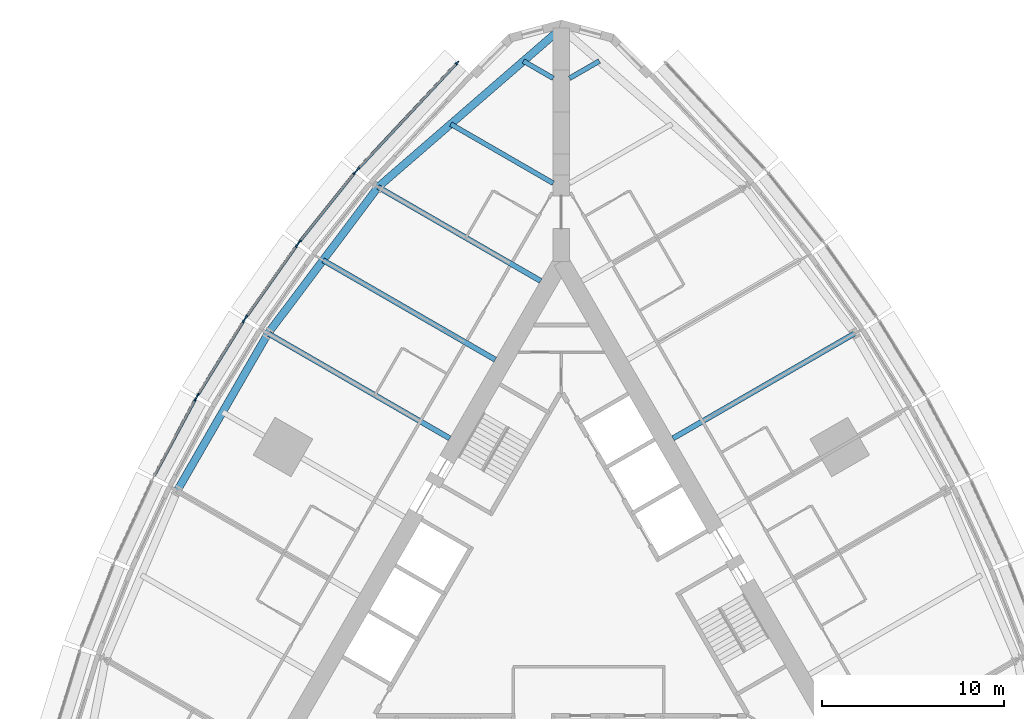
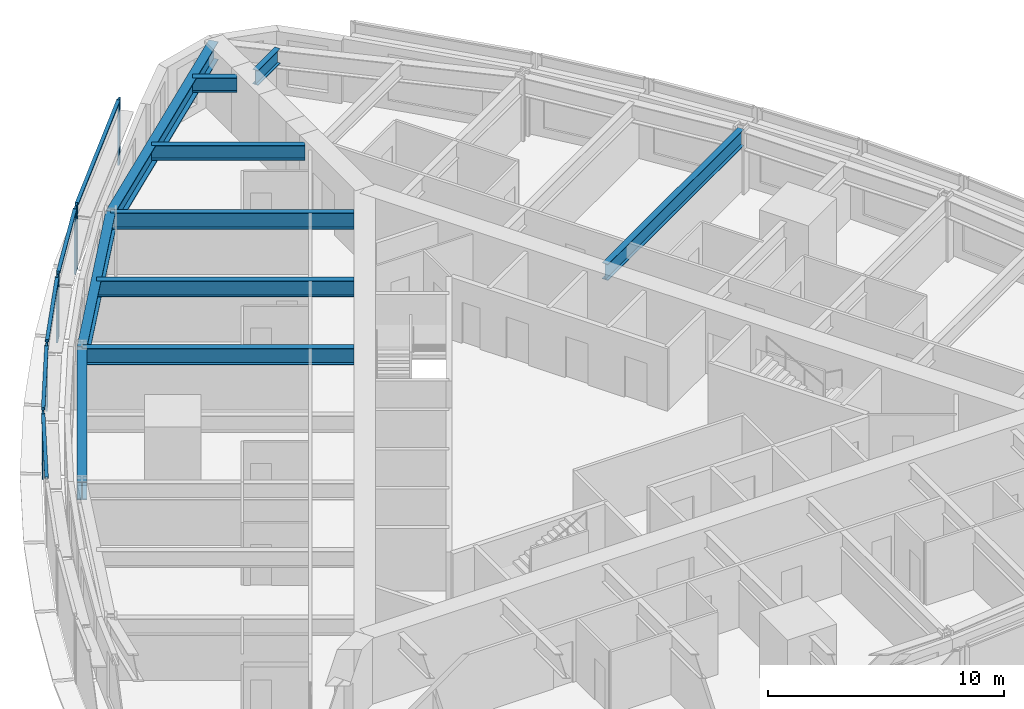
# One storey, part 4 of 14: 14 members, 10 beams, 5 elements without a shape of their own.
"""IFC4 building model written with IfcOpenShell, lengths in metres."""

from ifc_helpers import new_model, si_unit, direction, frame, origin, origin_2d, place, context, subcontext, project, spatial, rectangle, i_section, extrude, material, material_profile, profile_set, type_object, element, aggregate, save


model = new_model("IFC4")

# Units and contexts
model_context = context("Model", 3, precision=1e-05, world=origin(), true_north=direction((0.0, 1.0)))
body_context = subcontext(model_context, "Body", "Model", "MODEL_VIEW")
ifc_project = project(units=[si_unit("LENGTHUNIT", "METRE"), si_unit("AREAUNIT", "SQUARE_METRE"), si_unit("VOLUMEUNIT", "CUBIC_METRE"), si_unit("PLANEANGLEUNIT", "RADIAN"), si_unit("MASSUNIT", "GRAM", prefix="KILO")], contexts=[model_context])

# Site, building, storey
site_placement = place(None, origin())
site = spatial("IfcSite", under=ifc_project, at=site_placement, CompositionType="ELEMENT")
building_placement = place(site_placement, origin())
building = spatial("IfcBuilding", under=site, at=building_placement, Name="Trikona Tower", CompositionType="ELEMENT")
storey_placement = place(building_placement, frame((0.0, 0.0, 89.699951171875)))
storey = spatial("IfcBuildingStorey", under=building, at=storey_placement, Name="L23", CompositionType="ELEMENT", Elevation=89.699951171875)

# Curtain wall, members
ifc_material_1 = material(Name="Aluminium curtain wall system", Category="aluminium")
curtain_wall_type = type_object("IfcCurtainWallType", Name="Curtain wall DS1", PredefinedType="NOTDEFINED", material=ifc_material_1)
curtain_wall_1_placement = place(storey_placement, origin())
curtain_wall_1 = element("IfcCurtainWall", 1, at=curtain_wall_1_placement, inside=storey, type_object=curtain_wall_type, Name="Curtain wall DS1 L23", PredefinedType="NOTDEFINED")
ifc_material_2 = material(Name="Aluminium mullion, pale anodised", Category="aluminium")
ifc_material_profile_1 = material_profile(ifc_material_2, rectangle(XDim=0.080078125, YDim=0.219970703125, at=origin_2d()), Name="MUL-DS1")
ifc_profile_set_1 = profile_set([ifc_material_profile_1], Name="Aluminium mullion, pale anodised")
member_type_1 = type_object("IfcMemberType", Name="Mullion DS1 80x220", PredefinedType="MULLION", material=ifc_profile_set_1)
member_1_placement = place(storey_placement, frame((-5.72607421875, 29.98583984375, 0.0), z_axis=(0.0, 0.0, 1.0), x_axis=(0.731076639405, -0.682295351967, 0.0)))
member_1 = element("IfcMember", 2, at=member_1_placement, type_object=member_type_1, Name="CW-DS1 mullion 1", PredefinedType="MULLION", context=body_context, shape_type="SweptSolid", body=[
    extrude(rectangle(XDim=0.080078125, YDim=0.219970703125, at=origin_2d()), origin(), (0.0, 0.0, 1.0), 3.400146484375),
])
member_2_placement = place(storey_placement, frame((-11.192138671875, 24.129150390625, 0.0), z_axis=(0.0, 0.0, 1.0), x_axis=(0.731076639405, -0.682295351967, 0.0)))
member_2 = element("IfcMember", 3, at=member_2_placement, type_object=member_type_1, Name="CW-DS1 mullion 2", PredefinedType="MULLION", context=body_context, shape_type="SweptSolid", body=[
    extrude(rectangle(XDim=0.080078125, YDim=0.219970703125, at=origin_2d()), origin(), (0.0, 0.0, 1.0), 3.400146484375),
])

curtain_wall_2_placement = place(storey_placement, origin())
curtain_wall_2 = element("IfcCurtainWall", 4, at=curtain_wall_2_placement, inside=storey, type_object=curtain_wall_type, Name="Curtain wall DS1 L23", PredefinedType="NOTDEFINED")
member_3_placement = place(storey_placement, frame((-11.36767578125, 23.926025390625, 0.0), z_axis=(0.0, 0.0, 1.0), x_axis=(0.780937959679, -0.624608599951, 0.0)))
member_3 = element("IfcMember", 5, at=member_3_placement, type_object=member_type_1, Name="CW-DS1 mullion 1", PredefinedType="MULLION", context=body_context, shape_type="SweptSolid", body=[
    extrude(rectangle(XDim=0.080078125, YDim=0.219970703125, at=origin_2d()), origin(), (0.0, 0.0, 1.0), 3.400146484375),
])
member_4_placement = place(storey_placement, frame((-14.40185546875, 20.13232421875, 0.0), z_axis=(0.0, 0.0, 1.0), x_axis=(0.780937959679, -0.624608599951, 0.0)))
member_4 = element("IfcMember", 6, at=member_4_placement, type_object=member_type_1, Name="CW-DS1 mullion 2", PredefinedType="MULLION", context=body_context, shape_type="SweptSolid", body=[
    extrude(rectangle(XDim=0.080078125, YDim=0.219970703125, at=origin_2d()), origin(), (0.0, 0.0, 1.0), 3.400146484375),
])

curtain_wall_3_placement = place(storey_placement, origin())
curtain_wall_3 = element("IfcCurtainWall", 7, at=curtain_wall_3_placement, inside=storey, type_object=curtain_wall_type, Name="Curtain wall DS1 L23", PredefinedType="NOTDEFINED")
member_5_placement = place(storey_placement, frame((-14.554443359375, 19.929443359375, 0.0), z_axis=(0.0, 0.0, 1.0), x_axis=(0.816985393055, -0.576658362928, 0.0)))
member_5 = element("IfcMember", 8, at=member_5_placement, type_object=member_type_1, Name="CW-DS1 mullion 1", PredefinedType="MULLION", context=body_context, shape_type="SweptSolid", body=[
    extrude(rectangle(XDim=0.080078125, YDim=0.219970703125, at=origin_2d()), origin(), (0.0, 0.0, 1.0), 3.400146484375),
])
member_6_placement = place(storey_placement, frame((-17.33447265625, 15.990966796875, 0.0), z_axis=(0.0, 0.0, 1.0), x_axis=(0.816985393055, -0.576658362928, 0.0)))
member_6 = element("IfcMember", 9, at=member_6_placement, type_object=member_type_1, Name="CW-DS1 mullion 2", PredefinedType="MULLION", context=body_context, shape_type="SweptSolid", body=[
    extrude(rectangle(XDim=0.080078125, YDim=0.219970703125, at=origin_2d()), origin(), (0.0, 0.0, 1.0), 3.400146484375),
])

curtain_wall_4_placement = place(storey_placement, origin())
curtain_wall_4 = element("IfcCurtainWall", 10, at=curtain_wall_4_placement, inside=storey, type_object=curtain_wall_type, Name="Curtain wall DS1 L23", PredefinedType="NOTDEFINED")
member_7_placement = place(storey_placement, frame((-17.474853515625, 15.77880859375, 0.0), z_axis=(0.0, 0.0, 1.0), x_axis=(0.850410468941, -0.526119790842, 0.0)))
member_7 = element("IfcMember", 11, at=member_7_placement, type_object=member_type_1, Name="CW-DS1 mullion 1", PredefinedType="MULLION", context=body_context, shape_type="SweptSolid", body=[
    extrude(rectangle(XDim=0.080078125, YDim=0.219970703125, at=origin_2d()), origin(), (0.0, 0.0, 1.0), 3.400146484375),
])
member_8_placement = place(storey_placement, frame((-20.00146484375, 11.69482421875, 0.0), z_axis=(0.0, 0.0, 1.0), x_axis=(0.850410468941, -0.526119790842, 0.0)))
member_8 = element("IfcMember", 12, at=member_8_placement, type_object=member_type_1, Name="CW-DS1 mullion 2", PredefinedType="MULLION", context=body_context, shape_type="SweptSolid", body=[
    extrude(rectangle(XDim=0.080078125, YDim=0.219970703125, at=origin_2d()), origin(), (0.0, 0.0, 1.0), 3.400146484375),
])

# Curtain wall, member
curtain_wall_5_placement = place(storey_placement, origin())
curtain_wall_5 = element("IfcCurtainWall", 13, at=curtain_wall_5_placement, inside=storey, type_object=curtain_wall_type, Name="Curtain wall DS1 L23", PredefinedType="NOTDEFINED")
member_9_placement = place(storey_placement, frame((-20.128662109375, 11.474365234375, 0.0), z_axis=(0.0, 0.0, 1.0), x_axis=(0.880843080975, -0.473408350896, 0.0)))
member_9 = element("IfcMember", 14, at=member_9_placement, type_object=member_type_1, Name="CW-DS1 mullion 1", PredefinedType="MULLION", context=body_context, shape_type="SweptSolid", body=[
    extrude(rectangle(XDim=0.080078125, YDim=0.219970703125, at=origin_2d()), origin(), (0.0, 0.0, 1.0), 3.400146484375),
])

# Beams
ifc_material_3 = material(Name="Steel ASTM A992 Grade 50", Category="steel")
ifc_material_profile_2 = material_profile(ifc_material_3, i_section(OverallWidth=0.2666015625, OverallDepth=0.76953125, WebThickness=0.015625, FlangeThickness=0.025390625, at=origin_2d()), Name="W30X132")
ifc_profile_set_2 = profile_set([ifc_material_profile_2], Name="Steel ASTM A992 Grade 50")
beam_type_1 = type_object("IfcBeamType", Name="Steel beam W30x132 (wedge)", PredefinedType="BEAM", material=ifc_profile_set_2)
for number, where, z_axis, x_axis, name in (
    (15, (0.449951171875, 29.127197265625, 2.850341796875), (0.866009237431, 0.5000279999, 0.0), (-0.5000279999, 0.866009237431, 0.0), "Floor beam L24 F2 u25"),
    (16, (-0.449951171875, 29.127197265625, 2.850341796875), (-0.866009237431, 0.5000279999, 0.0), (-0.5000279999, -0.866009237431, 0.0), "Floor beam L24 F3 u-25"),
):
    element("IfcBeam", number, at=place(storey_placement, frame(where, z_axis=z_axis, x_axis=x_axis)), inside=storey, type_object=beam_type_1, Name=name, PredefinedType="BEAM", context=body_context, shape_type="SweptSolid", body=[
        extrude(i_section(OverallWidth=0.2666015625, OverallDepth=0.76953125, WebThickness=0.015625, FlangeThickness=0.025390625, at=origin_2d()), origin(), (0.0, 0.0, 1.0), 1.890625),
    ])
beam_1_placement = place(storey_placement, frame((-0.449951171875, 23.353759765625, 2.850341796875), z_axis=(-0.866022504693, 0.50000502134, 0.0), x_axis=(-0.50000502134, -0.866022504693, 0.0)))
element("IfcBeam", 17, at=beam_1_placement, inside=storey, type_object=beam_type_1, Name="Floor beam L24 F3 u-20", PredefinedType="BEAM", context=body_context, shape_type="SweptSolid", body=[
    extrude(i_section(OverallWidth=0.2666015625, OverallDepth=0.76953125, WebThickness=0.015625, FlangeThickness=0.025390625, at=origin_2d()), origin(), (0.0, 0.0, 1.0), 6.5068359375),
])
ifc_material_4 = material(Name="Steel ASTM A992 Grade 50", Category="steel")
ifc_material_profile_3 = material_profile(ifc_material_4, i_section(OverallWidth=0.2919921875, OverallDepth=0.845703125, WebThickness=0.015380859375, FlangeThickness=0.0244140625, at=origin_2d()), Name="W33X141")
ifc_profile_set_3 = profile_set([ifc_material_profile_3], Name="Steel ASTM A992 Grade 50")
beam_type_2 = type_object("IfcBeamType", Name="Steel beam W33x141 (radial typ)", PredefinedType="BEAM", material=ifc_profile_set_3)
beam_2_placement = place(storey_placement, frame((6.1396484375, 9.318359375, 2.812255859375), z_axis=(0.866029923217, 0.499992172032, 0.0), x_axis=(-0.499992172032, 0.866029923217, 0.0)))
element("IfcBeam", 18, at=beam_2_placement, inside=storey, type_object=beam_type_2, Name="Floor beam L24 F2 u5", PredefinedType="BEAM", context=body_context, shape_type="SweptSolid", body=[
    extrude(i_section(OverallWidth=0.2919921875, OverallDepth=0.845703125, WebThickness=0.015380859375, FlangeThickness=0.0244140625, at=origin_2d()), origin(), (0.0, 0.0, 1.0), 11.544189453125),
])
beam_3_placement = place(storey_placement, frame((-1.1396484375, 17.978515625, 2.812255859375), z_axis=(-0.866030471684, 0.499991222037, 0.0), x_axis=(-0.499991222037, -0.866030471684, 0.0)))
element("IfcBeam", 19, at=beam_3_placement, inside=storey, type_object=beam_type_2, Name="Floor beam L24 F3 u-15", PredefinedType="BEAM", context=body_context, shape_type="SweptSolid", body=[
    extrude(i_section(OverallWidth=0.2919921875, OverallDepth=0.845703125, WebThickness=0.015380859375, FlangeThickness=0.0244140625, at=origin_2d()), origin(), (0.0, 0.0, 1.0), 10.326904296875),
])
beam_4_placement = place(storey_placement, frame((-3.6396484375, 13.6484375, 2.812255859375), z_axis=(-0.866025348605, 0.500000095573, 0.0), x_axis=(-0.500000095573, -0.866025348605, 0.0)))
element("IfcBeam", 20, at=beam_4_placement, inside=storey, type_object=beam_type_2, Name="Floor beam L24 F3 u-10", PredefinedType="BEAM", context=body_context, shape_type="SweptSolid", body=[
    extrude(i_section(OverallWidth=0.2919921875, OverallDepth=0.845703125, WebThickness=0.015380859375, FlangeThickness=0.0244140625, at=origin_2d()), origin(), (0.0, 0.0, 1.0), 10.935546875),
])
beam_5_placement = place(storey_placement, frame((-6.1396484375, 9.318359375, 2.812255859375), z_axis=(-0.866029923217, 0.499992172032, 0.0), x_axis=(-0.499992172032, -0.866029923217, 0.0)))
element("IfcBeam", 21, at=beam_5_placement, inside=storey, type_object=beam_type_2, Name="Floor beam L24 F3 u-5", PredefinedType="BEAM", context=body_context, shape_type="SweptSolid", body=[
    extrude(i_section(OverallWidth=0.2919921875, OverallDepth=0.845703125, WebThickness=0.015380859375, FlangeThickness=0.0244140625, at=origin_2d()), origin(), (0.0, 0.0, 1.0), 11.544189453125),
])
ifc_material_5 = material(Name="Steel ASTM A992 Grade 50", Category="steel")
ifc_material_profile_4 = material_profile(ifc_material_5, i_section(OverallWidth=0.424072265625, OverallDepth=0.947509765625, WebThickness=0.02392578125, FlangeThickness=0.042724609375, at=origin_2d()), Name="W36X302")
ifc_profile_set_4 = profile_set([ifc_material_profile_4], Name="Steel ASTM A992 Grade 50")
beam_type_3 = type_object("IfcBeamType", Name="Steel beam W36x302 (spandrel)", PredefinedType="SPANDREL", material=ifc_profile_set_4)
beam_6_placement = place(storey_placement, frame((0.0, 31.881591796875, 2.76123046875), z_axis=(-0.755646822726, -0.654979296851, 0.0), x_axis=(0.654979296851, -0.755646822726, 0.0)))
element("IfcBeam", 22, at=beam_6_placement, inside=storey, type_object=beam_type_3, Name="Spandrel beam L24 F3-1", PredefinedType="SPANDREL", context=body_context, shape_type="SweptSolid", body=[
    extrude(i_section(OverallWidth=0.424072265625, OverallDepth=0.947509765625, WebThickness=0.02392578125, FlangeThickness=0.042724609375, at=origin_2d()), origin(), (0.0, 0.0, 1.0), 13.343505859375),
])
beam_7_placement = place(storey_placement, frame((-10.0830078125, 23.141845703125, 2.76123046875), z_axis=(-0.600988344191, -0.799257787042, 0.0), x_axis=(0.799257787042, -0.600988344191, 0.0)))
element("IfcBeam", 23, at=beam_7_placement, inside=storey, type_object=beam_type_3, Name="Spandrel beam L24 F3-2", PredefinedType="SPANDREL", context=body_context, shape_type="SweptSolid", body=[
    extrude(i_section(OverallWidth=0.424072265625, OverallDepth=0.947509765625, WebThickness=0.02392578125, FlangeThickness=0.042724609375, at=origin_2d()), origin(), (0.0, 0.0, 1.0), 10.07373046875),
])
beam_8_placement = place(storey_placement, frame((-16.13720703125, 15.09033203125, 2.76123046875), z_axis=(-0.500004234368, -0.866022959057, 0.0), x_axis=(0.866022959057, -0.500004234368, 0.0)))
element("IfcBeam", 24, at=beam_8_placement, inside=storey, type_object=beam_type_3, Name="Spandrel beam L24 F3-3", PredefinedType="SPANDREL", context=body_context, shape_type="SweptSolid", body=[
    extrude(i_section(OverallWidth=0.424072265625, OverallDepth=0.947509765625, WebThickness=0.02392578125, FlangeThickness=0.042724609375, at=origin_2d()), origin(), (0.0, 0.0, 1.0), 10.0),
])

# Member
ifc_material_6 = material(Name="Aluminium transom, pale anodised", Category="aluminium")
ifc_material_profile_5 = material_profile(ifc_material_6, rectangle(XDim=0.159912109375, YDim=0.080078125, at=origin_2d()), Name="TRN-DS1")
ifc_profile_set_5 = profile_set([ifc_material_profile_5], Name="Aluminium transom, pale anodised")
member_type_2 = type_object("IfcMemberType", Name="Transom DS1 80x160", PredefinedType="USERDEFINED", material=ifc_profile_set_5)
member_10_placement = place(storey_placement, frame((-5.75341796875, 29.95654296875, 3.360107421875), z_axis=(-0.682290830921, -0.731080858758, 0.0), x_axis=(0.731080858758, -0.682290830921, 0.0)))
member_10 = element("IfcMember", 25, at=member_10_placement, type_object=member_type_2, Name="CW-DS1 transom 1.1", ObjectType="TRANSOM", PredefinedType="USERDEFINED", context=body_context, shape_type="SweptSolid", body=[
    extrude(rectangle(XDim=0.159912109375, YDim=0.080078125, at=origin_2d()), origin(), (0.0, 0.0, 1.0), 7.93115234375),
])

aggregate(curtain_wall_1, [member_1, member_2, member_10])

member_11_placement = place(storey_placement, frame((-11.392822265625, 23.894775390625, 3.360107421875), z_axis=(-0.624589103832, -0.780953552636, 0.0), x_axis=(0.780953552636, -0.624589103832, 0.0)))
member_11 = element("IfcMember", 26, at=member_11_placement, type_object=member_type_2, Name="CW-DS1 transom 1.1", ObjectType="TRANSOM", PredefinedType="USERDEFINED", context=body_context, shape_type="SweptSolid", body=[
    extrude(rectangle(XDim=0.159912109375, YDim=0.080078125, at=origin_2d()), origin(), (0.0, 0.0, 1.0), 4.77783203125),
])

aggregate(curtain_wall_2, [member_3, member_4, member_11])

member_12_placement = place(storey_placement, frame((-14.57763671875, 19.896728515625, 3.360107421875), z_axis=(-0.57664478015, -0.816994980111, 0.0), x_axis=(0.816994980111, -0.57664478015, 0.0)))
member_12 = element("IfcMember", 27, at=member_12_placement, type_object=member_type_2, Name="CW-DS1 transom 1.1", ObjectType="TRANSOM", PredefinedType="USERDEFINED", context=body_context, shape_type="SweptSolid", body=[
    extrude(rectangle(XDim=0.159912109375, YDim=0.080078125, at=origin_2d()), origin(), (0.0, 0.0, 1.0), 4.740478515625),
])

aggregate(curtain_wall_3, [member_5, member_6, member_12])

member_13_placement = place(storey_placement, frame((-17.495849609375, 15.744873046875, 3.360107421875), z_axis=(-0.526080502257, -0.850434774186, 0.0), x_axis=(0.850434774186, -0.526080502257, 0.0)))
member_13 = element("IfcMember", 28, at=member_13_placement, type_object=member_type_2, Name="CW-DS1 transom 1.1", ObjectType="TRANSOM", PredefinedType="USERDEFINED", context=body_context, shape_type="SweptSolid", body=[
    extrude(rectangle(XDim=0.159912109375, YDim=0.080078125, at=origin_2d()), origin(), (0.0, 0.0, 1.0), 4.722412109375),
])

aggregate(curtain_wall_4, [member_7, member_8, member_13])

member_14_placement = place(storey_placement, frame((-20.147705078125, 11.43896484375, 3.360107421875), z_axis=(-0.473427569755, -0.880832751546, 0.0), x_axis=(0.880832751546, -0.473427569755, 0.0)))
member_14 = element("IfcMember", 29, at=member_14_placement, type_object=member_type_2, Name="CW-DS1 transom 1.1", ObjectType="TRANSOM", PredefinedType="USERDEFINED", context=body_context, shape_type="SweptSolid", body=[
    extrude(rectangle(XDim=0.159912109375, YDim=0.080078125, at=origin_2d()), origin(), (0.0, 0.0, 1.0), 4.72216796875),
])

aggregate(curtain_wall_5, [member_9, member_14])

save(model, "model.ifc")
